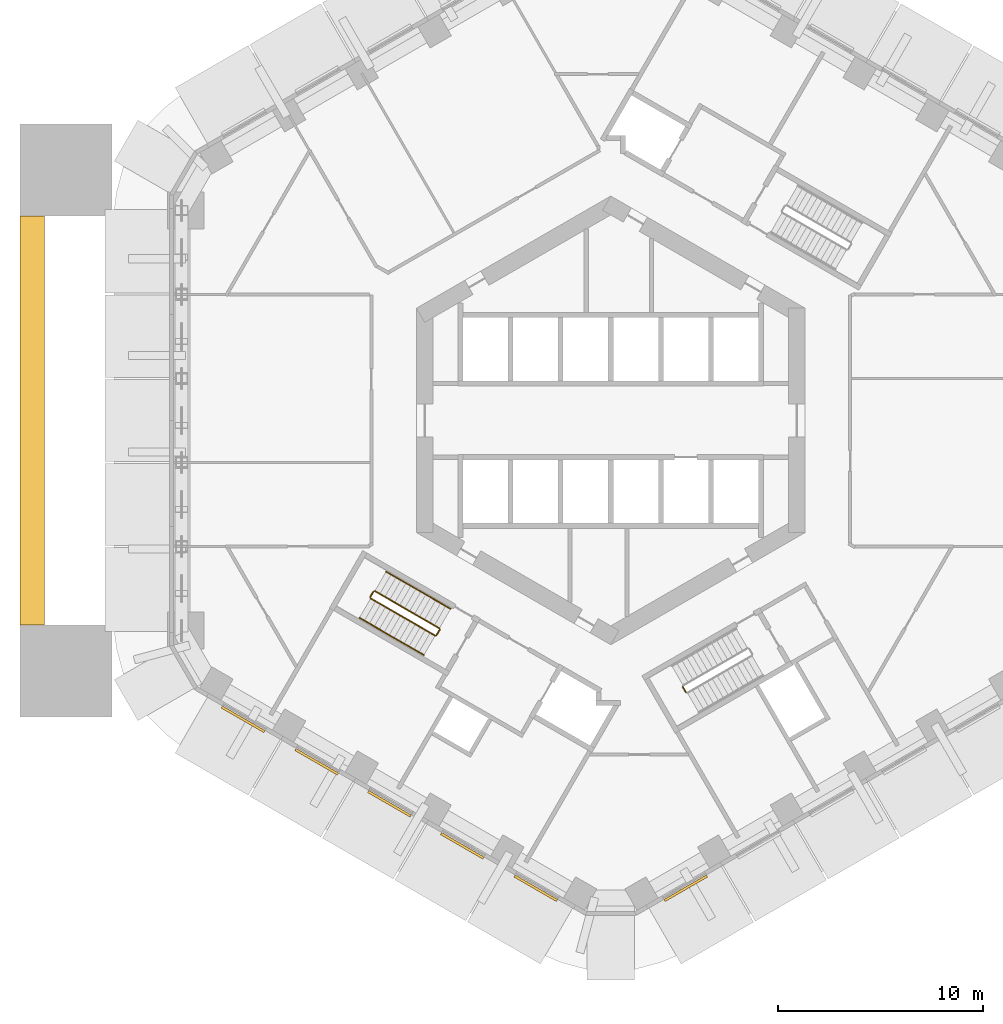
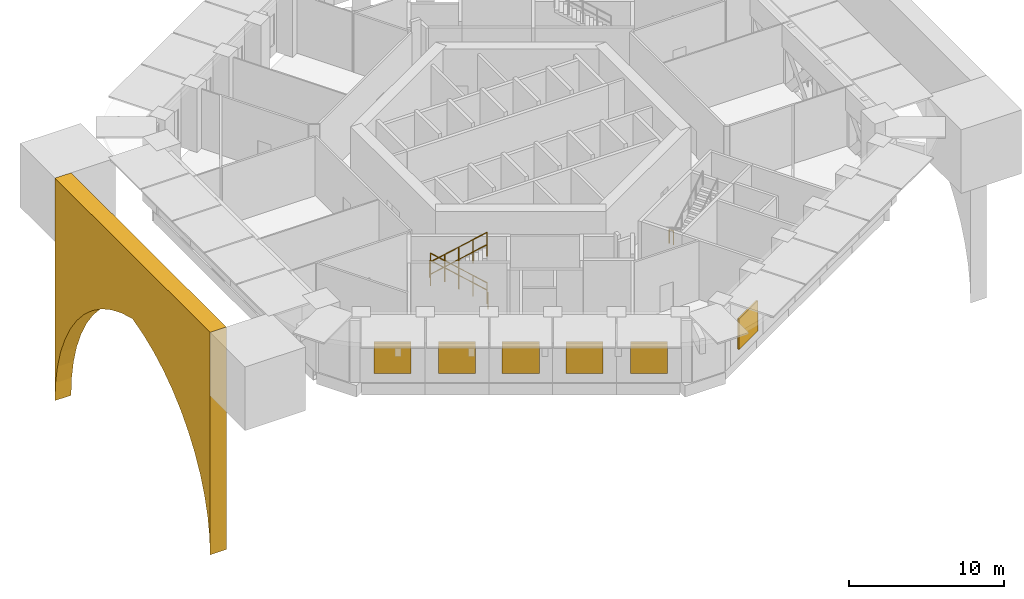
# One storey, part 8 of 10: 9 railings, 7 shading devices.
"""IFC4 building model written with IfcOpenShell, lengths in metres."""

from ifc_helpers import new_model, si_unit, direction, frame, origin, origin_2d, place, context, subcontext, project, spatial, polyline, rectangle, circle, outline, extrude, material, layer, layer_set, type_object, element, save


model = new_model("IFC4")

# Units and contexts
model_context = context("Model", 3, precision=1e-05, world=origin(), true_north=direction((0.0, 1.0)))
body_context = subcontext(model_context, "Body", "Model", "MODEL_VIEW")
ifc_project = project(units=[si_unit("LENGTHUNIT", "METRE"), si_unit("AREAUNIT", "SQUARE_METRE"), si_unit("VOLUMEUNIT", "CUBIC_METRE"), si_unit("PLANEANGLEUNIT", "RADIAN"), si_unit("MASSUNIT", "GRAM", prefix="KILO")], contexts=[model_context])

# Site, building, storey
site_placement = place(None, origin())
site = spatial("IfcSite", under=ifc_project, at=site_placement, CompositionType="ELEMENT")
building_placement = place(site_placement, origin())
building = spatial("IfcBuilding", under=site, at=building_placement, Name="Ayvan Gate Tower", CompositionType="ELEMENT")
storey_placement = place(building_placement, frame((0.0, 0.0, 20.5)))
storey = spatial("IfcBuildingStorey", under=building, at=storey_placement, Name="L04", CompositionType="ELEMENT", Elevation=20.5)

# Shading devices
ifc_material_1 = material(Name="Anodised aluminium louvre", Category="aluminium")
ifc_layer_1 = layer(ifc_material_1, 0.1201171875)
ifc_layer_set_1 = layer_set([ifc_layer_1], Name="Anodised aluminium louvre")
shading_device_type_1 = type_object("IfcShadingDeviceType", Name="Plant louvre 2400 x 2400", PredefinedType="USERDEFINED", material=ifc_layer_set_1)
for number, where, z_axis, x_axis, name in (
    (1, (-17.976318359375, -14.614501953125, 0.800048828125), (0.0, 0.0, 1.0), (0.866025403784, -0.5, 0.0), "Plant louvre L04.4.0"),
    (2, (-14.379150390625, -16.691162109375, 0.800048828125), (0.0, 0.0, 1.0), (0.866025403784, -0.5, 0.0), "Plant louvre L04.4.1"),
    (3, (-10.822021484375, -18.744873046875, 0.800048828125), (0.0, 0.0, 1.0), (0.866025403784, -0.5, 0.0), "Plant louvre L04.4.2"),
    (4, (-7.26513671875, -20.798583984375, 0.800048828125), (0.0, 0.0, 1.0), (0.866025403784, -0.5, 0.0), "Plant louvre L04.4.3"),
    (5, (-3.66845703125, -22.875, 0.800048828125), (0.0, 0.0, 1.0), (0.866025403784, -0.5, 0.0), "Plant louvre L04.4.4"),
    (6, (3.66845703125, -22.875, 0.800048828125), (0.0, 0.0, 1.0), (0.866025403784, 0.5, 0.0), "Plant louvre L04.6.0"),
):
    element("IfcShadingDevice", number, at=place(storey_placement, frame(where, z_axis=z_axis, x_axis=x_axis)), inside=storey, type_object=shading_device_type_1, Name=name, ObjectType="LOUVRE", PredefinedType="USERDEFINED", context=body_context, shape_type="SweptSolid", body=[
        extrude(rectangle(XDim=2.39990234375, YDim=0.1201171875, at=origin_2d()), origin(), (0.0, 0.0, 1.0), 2.39990234375),
    ])
ifc_material_2 = material(Name="Pale metal cladding on reinforced concrete", Category="concrete")
ifc_layer_2 = layer(ifc_material_2, 1.199951171875)
ifc_layer_set_2 = layer_set([ifc_layer_2], Name="Pale metal cladding on reinforced concrete")
shading_device_type_2 = type_object("IfcShadingDeviceType", Name="Portal screen panel 1200", PredefinedType="USERDEFINED", material=ifc_layer_set_2)
shading_device_placement = place(storey_placement, frame((-28.884521484375, 10.0, -12.5), z_axis=(-1.0, 0.0, 0.0), x_axis=(0.0, -0.056117913579, 0.998424148233)))
element("IfcShadingDevice", 7, at=shading_device_placement, inside=storey, type_object=shading_device_type_2, Name="Portal screen panel PS-W", ObjectType="PORTAL SCREEN", PredefinedType="USERDEFINED", context=body_context, shape_type="SweptSolid", body=[
    extrude(outline(polyline([(0.0, 0.0), (1.440013388266844, -1.3877787807814457e-17), (2.871031277508469, -0.16189274009737892), (4.274810221515658, -0.483035730883281), (5.633796939778405, -0.9600141132746716), (6.930503799069835, -1.5862305008836788), (8.148850898886483, -2.354030279765203), (9.273380001111619, -3.2537676868221417), (10.289755742468873, -4.274022164375964), (11.185266846975864, -5.401814714737289), (11.948352314815555, -6.6228790574264345), (12.569847603139078, -7.922080637652078), (13.041480988704848, -9.28276756259953), (12.72529531980521, -10.687735028730211), (12.253301660625075, -12.04839778090758), (11.631853641656747, -13.347281886567256), (10.868362120949763, -14.56832114586827), (9.972716617496788, -15.696043620031395), (8.956093933080789, -16.716127646442757), (7.831459364728654, -17.615618193224414), (6.613092893582557, -18.383198016454887), (5.3161153737713285, -19.00945881738975), (3.9571649974471628, -19.485885116891843), (2.5533018212702547, -19.807116561803888), (1.122358271574976, -19.96848296466778), (18.59478086565928, -18.986419477039675), (17.472422594084307, 0.982063487628104), (0.0, 0.0)])), origin(), (0.0, 0.0, -1.0), 1.199951171875),
])

# Railings
ifc_material_3 = material(Name="Stainless steel balustrade", Category="steel")
railing_type_1 = type_object("IfcRailingType", Name="RL-GUARD-1100", PredefinedType="GUARDRAIL", material=ifc_material_3)
railing_1_placement = place(storey_placement, frame((-8.381103515625, -10.16650390625, 0.178466796875)))
element("IfcRailing", 8, at=railing_1_placement, inside=storey, type_object=railing_type_1, Name="L04 STS2 stair guard 1", PredefinedType="GUARDRAIL", context=body_context, shape_type="SweptSolid", body=[
    extrude(circle(Radius=0.02392578125, at=origin_2d()), frame((0.0, 0.0, 1.076171875), z_axis=(-0.730158560966, 0.421571566915, 0.537722874553), x_axis=(-0.500012742938, -0.866018046521, 0.0)), (0.0, 0.0, 1.0), 4.3173828125),
    extrude(circle(Radius=0.02099609375, at=origin_2d()), origin(), (0.0, 0.0, 1.0), 1.052001953125),
    extrude(circle(Radius=0.02099609375, at=origin_2d()), frame((-0.7880859375, 0.455078125, 0.580322265625)), (0.0, 0.0, 1.0), 1.052001953125),
    extrude(circle(Radius=0.02099609375, at=origin_2d()), frame((-1.576171875, 0.91015625, 1.16064453125)), (0.0, 0.0, 1.0), 1.052001953125),
    extrude(circle(Radius=0.02099609375, at=origin_2d()), frame((-2.3642578125, 1.364990234375, 1.7412109375)), (0.0, 0.0, 1.0), 1.052001953125),
    extrude(circle(Radius=0.02099609375, at=origin_2d()), frame((-3.15234375, 1.820068359375, 2.321533203125)), (0.0, 0.0, 1.0), 1.052001953125),
])
railing_2_placement = place(storey_placement, frame((-11.601806640625, -8.36474609375, 2.5)))
element("IfcRailing", 9, at=railing_2_placement, inside=storey, type_object=railing_type_1, Name="L04 STS2 stair guard 2", PredefinedType="GUARDRAIL", context=body_context, shape_type="SweptSolid", body=[
    extrude(circle(Radius=0.02392578125, at=origin_2d()), frame((0.0, 0.0, 1.076171875), z_axis=(-0.499949632511, -0.866054481515, 0.0), x_axis=(0.866054481515, -0.499949632511, 0.0)), (0.0, 0.0, 1.0), 0.31005859375),
    extrude(circle(Radius=0.02099609375, at=origin_2d()), origin(), (0.0, 0.0, 1.0), 1.052001953125),
    extrude(circle(Radius=0.02099609375, at=origin_2d()), frame((-0.155029296875, -0.2685546875, 0.0)), (0.0, 0.0, 1.0), 1.052001953125),
])
railing_3_placement = place(storey_placement, frame((-11.738525390625, -8.70166015625, 2.678466796875)))
element("IfcRailing", 10, at=railing_3_placement, inside=storey, type_object=railing_type_1, Name="L04 STS2 stair guard 3", PredefinedType="GUARDRAIL", context=body_context, shape_type="SweptSolid", body=[
    extrude(circle(Radius=0.02392578125, at=origin_2d()), frame((0.0, 0.0, 1.076171875), z_axis=(0.730175966949, -0.421525066422, 0.537735693132), x_axis=(0.499962438169, 0.866047089031, 0.0)), (0.0, 0.0, 1.0), 4.317138671875),
    extrude(circle(Radius=0.02099609375, at=origin_2d()), origin(), (0.0, 0.0, 1.0), 1.052001953125),
    extrude(circle(Radius=0.02099609375, at=origin_2d()), frame((0.7880859375, -0.455078125, 0.580322265625)), (0.0, 0.0, 1.0), 1.052001953125),
    extrude(circle(Radius=0.02099609375, at=origin_2d()), frame((1.576171875, -0.909912109375, 1.16064453125)), (0.0, 0.0, 1.0), 1.052001953125),
    extrude(circle(Radius=0.02099609375, at=origin_2d()), frame((2.3642578125, -1.36474609375, 1.7412109375)), (0.0, 0.0, 1.0), 1.052001953125),
    extrude(circle(Radius=0.02099609375, at=origin_2d()), frame((3.15234375, -1.81982421875, 2.321533203125)), (0.0, 0.0, 1.0), 1.052001953125),
])
railing_4_placement = place(storey_placement, frame((-8.36279296875, -10.23486328125, 0.0)))
element("IfcRailing", 11, at=railing_4_placement, inside=storey, type_object=railing_type_1, Name="L04 STS2 stair guard 4", PredefinedType="GUARDRAIL", context=body_context, shape_type="SweptSolid", body=[
    extrude(circle(Radius=0.02392578125, at=origin_2d()), frame((0.0, 0.0, 1.076171875), z_axis=(-0.500290723946, -0.86585748916, 0.0), x_axis=(0.86585748916, -0.500290723946, 0.0)), (0.0, 0.0, 1.0), 0.309814453125),
    extrude(circle(Radius=0.02099609375, at=origin_2d()), origin(), (0.0, 0.0, 1.0), 1.052001953125),
    extrude(circle(Radius=0.02099609375, at=origin_2d()), frame((-0.155029296875, -0.268310546875, 0.0)), (0.0, 0.0, 1.0), 1.052001953125),
])
railing_5_placement = place(storey_placement, frame((3.521728515625, -13.02978515625, 2.5)))
element("IfcRailing", 12, at=railing_5_placement, inside=storey, type_object=railing_type_1, Name="L04 STS3 stair guard 2", PredefinedType="GUARDRAIL", context=body_context, shape_type="SweptSolid", body=[
    extrude(circle(Radius=0.02392578125, at=origin_2d()), frame((0.0, 0.0, 1.076171875), z_axis=(0.499949632511, -0.866054481515, 0.0), x_axis=(0.866054481515, 0.499949632511, 0.0)), (0.0, 0.0, 1.0), 0.31005859375),
    extrude(circle(Radius=0.02099609375, at=origin_2d()), origin(), (0.0, 0.0, 1.0), 1.052001953125),
    extrude(circle(Radius=0.02099609375, at=origin_2d()), frame((0.155029296875, -0.2685546875, 0.0)), (0.0, 0.0, 1.0), 1.052001953125),
])
railing_type_2 = type_object("IfcRailingType", Name="RL-HANDRAIL-900", PredefinedType="HANDRAIL", material=ifc_material_3)
railing_6_placement = place(storey_placement, frame((-7.8310546875, -9.2138671875, 0.178466796875)))
element("IfcRailing", 13, at=railing_6_placement, inside=storey, type_object=railing_type_2, Name="L04 STS2 stair handrail 1", PredefinedType="HANDRAIL", context=body_context, shape_type="SweptSolid", body=[
    extrude(circle(Radius=0.02392578125, at=origin_2d()), frame((0.0, 0.0, 0.8759765625), z_axis=(-0.730153762835, 0.421512248155, 0.537775889449), x_axis=(-0.499962438169, -0.866047089031, 0.0)), (0.0, 0.0, 1.0), 2.15869140625),
    extrude(circle(Radius=0.02099609375, at=origin_2d()), origin(), (0.0, 0.0, 1.0), 0.851806640625),
    extrude(circle(Radius=0.02099609375, at=origin_2d()), frame((-0.7880859375, 0.455078125, 0.58056640625)), (0.0, 0.0, 1.0), 0.851806640625),
    extrude(circle(Radius=0.02099609375, at=origin_2d()), frame((-1.576171875, 0.909912109375, 1.160888671875)), (0.0, 0.0, 1.0), 0.851806640625),
])
railing_7_placement = place(storey_placement, frame((-9.4072265625, -8.303955078125, 1.33935546875)))
element("IfcRailing", 14, at=railing_7_placement, inside=storey, type_object=railing_type_2, Name="L04 STS2 stair handrail 2", PredefinedType="HANDRAIL", context=body_context, shape_type="SweptSolid", body=[
    extrude(circle(Radius=0.02392578125, at=origin_2d()), frame((0.0, 0.0, 0.8759765625), z_axis=(-0.730163354521, 0.421630883776, 0.537669855544), x_axis=(-0.500063042646, -0.865989003036, 0.0)), (0.0, 0.0, 1.0), 2.15869140625),
    extrude(circle(Radius=0.02099609375, at=origin_2d()), origin(), (0.0, 0.0, 1.0), 0.851806640625),
    extrude(circle(Radius=0.02099609375, at=origin_2d()), frame((-0.7880859375, 0.455078125, 0.580322265625)), (0.0, 0.0, 1.0), 0.851806640625),
    extrude(circle(Radius=0.02099609375, at=origin_2d()), frame((-1.576171875, 0.91015625, 1.16064453125)), (0.0, 0.0, 1.0), 0.851806640625),
])
railing_8_placement = place(storey_placement, frame((-12.288330078125, -9.654296875, 2.678466796875)))
element("IfcRailing", 15, at=railing_8_placement, inside=storey, type_object=railing_type_2, Name="L04 STS2 stair handrail 3", PredefinedType="HANDRAIL", context=body_context, shape_type="SweptSolid", body=[
    extrude(circle(Radius=0.02392578125, at=origin_2d()), frame((0.0, 0.0, 0.8759765625), z_axis=(0.730153762835, -0.421512248155, 0.537775889449), x_axis=(0.499962438169, 0.866047089031, 0.0)), (0.0, 0.0, 1.0), 2.15869140625),
    extrude(circle(Radius=0.02099609375, at=origin_2d()), origin(), (0.0, 0.0, 1.0), 0.851806640625),
    extrude(circle(Radius=0.02099609375, at=origin_2d()), frame((0.7880859375, -0.455078125, 0.58056640625)), (0.0, 0.0, 1.0), 0.851806640625),
    extrude(circle(Radius=0.02099609375, at=origin_2d()), frame((1.576171875, -0.909912109375, 1.160888671875)), (0.0, 0.0, 1.0), 0.851806640625),
])
railing_9_placement = place(storey_placement, frame((-10.712158203125, -10.564208984375, 3.83935546875)))
element("IfcRailing", 16, at=railing_9_placement, inside=storey, type_object=railing_type_2, Name="L04 STS2 stair handrail 4", PredefinedType="HANDRAIL", context=body_context, shape_type="SweptSolid", body=[
    extrude(circle(Radius=0.02392578125, at=origin_2d()), frame((0.0, 0.0, 0.8759765625), z_axis=(0.730198170753, -0.42153788451, 0.537695493148), x_axis=(0.499962438169, 0.866047089031, 0.0)), (0.0, 0.0, 1.0), 2.158447265625),
    extrude(circle(Radius=0.02099609375, at=origin_2d()), origin(), (0.0, 0.0, 1.0), 0.851806640625),
    extrude(circle(Radius=0.02099609375, at=origin_2d()), frame((0.7880859375, -0.455078125, 0.580322265625)), (0.0, 0.0, 1.0), 0.851806640625),
    extrude(circle(Radius=0.02099609375, at=origin_2d()), frame((1.576171875, -0.909912109375, 1.16064453125)), (0.0, 0.0, 1.0), 0.851806640625),
])

save(model, "model.ifc")
